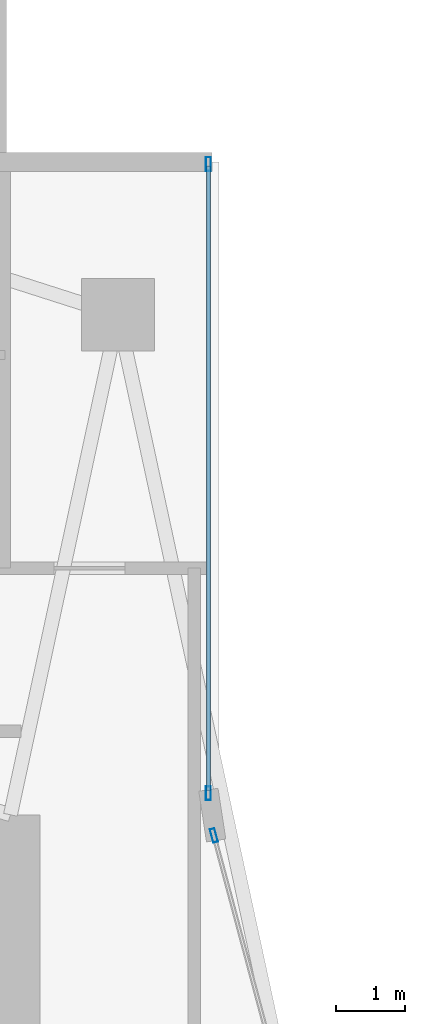
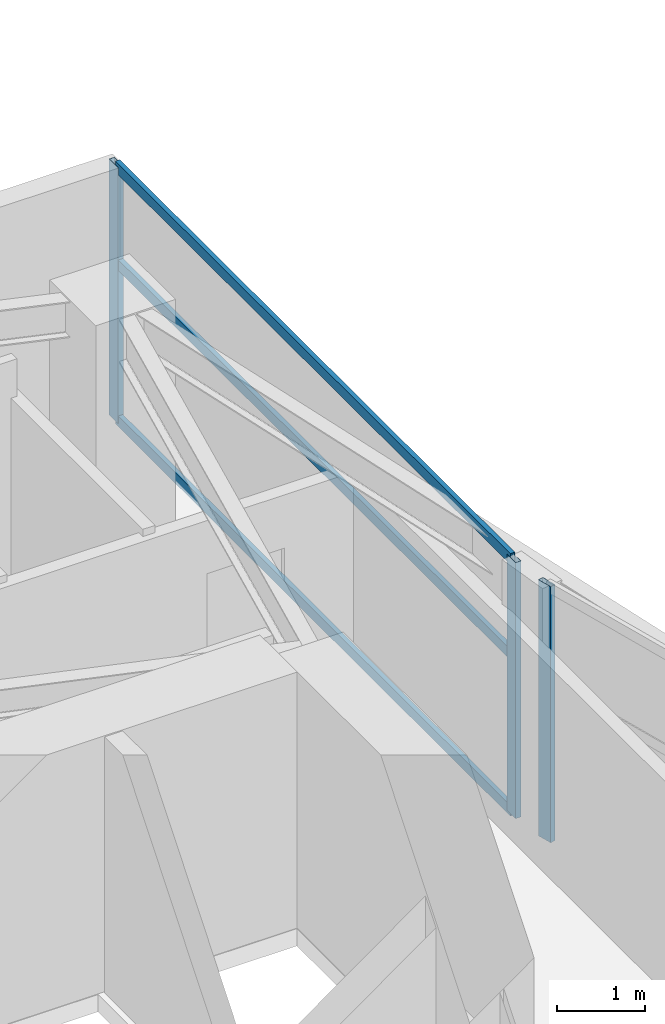
# One storey, part 18 of 28: 6 members, 2 elements without a shape of their own.
"""IFC4 building model written with IfcOpenShell, lengths in metres."""

from ifc_helpers import new_model, si_unit, direction, frame, origin, origin_2d, place, context, subcontext, project, spatial, hollow_rectangle, extrude, material, layer, layer_set, material_profile, profile_set, type_object, element, aggregate, save


model = new_model("IFC4")

# Units and contexts
model_context = context("Model", 3, precision=1e-05, world=origin(), true_north=direction((0.0, 1.0)))
body_context = subcontext(model_context, "Body", "Model", "MODEL_VIEW")
ifc_project = project(units=[si_unit("LENGTHUNIT", "METRE"), si_unit("AREAUNIT", "SQUARE_METRE"), si_unit("VOLUMEUNIT", "CUBIC_METRE"), si_unit("PLANEANGLEUNIT", "RADIAN"), si_unit("MASSUNIT", "GRAM", prefix="KILO")], contexts=[model_context])

# Site, building, storey
site_placement = place(None, origin())
site = spatial("IfcSite", under=ifc_project, at=site_placement, CompositionType="ELEMENT")
building_placement = place(site_placement, origin())
building = spatial("IfcBuilding", under=site, at=building_placement, Name="Calvorn Quay Hotel", CompositionType="ELEMENT")
storey_placement = place(building_placement, frame((0.0, 0.0, 178.89990234375)))
storey = spatial("IfcBuildingStorey", under=building, at=storey_placement, Name="L44", CompositionType="ELEMENT", Elevation=178.89990234375)

# Curtain wall, member
ifc_material_1 = material(Name="Pale Anodised Aluminium and Low-E Glass", Category="aluminium")
ifc_layer = layer(ifc_material_1, 0.219970703125)
ifc_layer_set = layer_set([ifc_layer], Name="CW-SYS-Z2")
curtain_wall_type = type_object("IfcCurtainWallType", Name="CW-SYS-Z2", PredefinedType="NOTDEFINED", material=ifc_layer_set)
curtain_wall_1_placement = place(storey_placement, origin())
curtain_wall_1 = element("IfcCurtainWall", 1, at=curtain_wall_1_placement, inside=storey, type_object=curtain_wall_type, Name="Inner Court Curtain Wall L44-IC1", PredefinedType="NOTDEFINED")
ifc_material_2 = material(Name="Pale Anodised Aluminium 6063-T6", Category="aluminium")
ifc_material_profile_1 = material_profile(ifc_material_2, hollow_rectangle(XDim=0.070068359375, YDim=0.199951171875, WallThickness=0.00390625, at=origin_2d()), Name="ALU-M200x70x4")
ifc_profile_set_1 = profile_set([ifc_material_profile_1], Name="Pale Anodised Aluminium 6063-T6")
member_type_1 = type_object("IfcMemberType", Name="CW-SYS-Z2-MUL", PredefinedType="MULLION", material=ifc_profile_set_1)
member_1_placement = place(storey_placement, frame((17.9296875, 38.10107421875, 0.0), z_axis=(0.0, 0.0, 1.0), x_axis=(-0.96593652056, -0.25877913024, 0.0)))
member_1 = element("IfcMember", 2, at=member_1_placement, type_object=member_type_1, Name="CW-L44-IC1 mullion 2", PredefinedType="MULLION", context=body_context, shape_type="SweptSolid", body=[
    extrude(hollow_rectangle(XDim=0.070068359375, YDim=0.199951171875, WallThickness=0.00390625, at=origin_2d()), origin(), (0.0, 0.0, 1.0), 3.56005859375),
])
aggregate(curtain_wall_1, [member_1])

# Curtain wall, members
curtain_wall_2_placement = place(storey_placement, origin())
curtain_wall_2 = element("IfcCurtainWall", 3, at=curtain_wall_2_placement, inside=storey, type_object=curtain_wall_type, Name="Inner Court Curtain Wall L44-IC2", PredefinedType="NOTDEFINED")
member_2_placement = place(storey_placement, frame((17.85009765625, 38.7099609375, 0.0), z_axis=(0.0, 0.0, 1.0), x_axis=(-1.0, 0.0, 0.0)))
member_2 = element("IfcMember", 4, at=member_2_placement, type_object=member_type_1, Name="CW-L44-IC2 mullion 1", PredefinedType="MULLION", context=body_context, shape_type="SweptSolid", body=[
    extrude(hollow_rectangle(XDim=0.070068359375, YDim=0.199951171875, WallThickness=0.00390625, at=origin_2d()), origin(), (0.0, 0.0, 1.0), 3.56005859375),
])
member_3_placement = place(storey_placement, frame((17.85009765625, 47.77001953125, 0.0), z_axis=(0.0, 0.0, 1.0), x_axis=(-1.0, 0.0, 0.0)))
member_3 = element("IfcMember", 5, at=member_3_placement, type_object=member_type_1, Name="CW-L44-IC2 mullion 2", PredefinedType="MULLION", context=body_context, shape_type="SweptSolid", body=[
    extrude(hollow_rectangle(XDim=0.070068359375, YDim=0.199951171875, WallThickness=0.00390625, at=origin_2d()), origin(), (0.0, 0.0, 1.0), 3.56005859375),
])
ifc_material_3 = material(Name="Pale Anodised Aluminium 6063-T6", Category="aluminium")
ifc_material_profile_2 = material_profile(ifc_material_3, hollow_rectangle(XDim=0.06005859375, YDim=0.14990234375, WallThickness=0.00341796875, at=origin_2d()), Name="ALU-T150x60x3.5")
ifc_profile_set_2 = profile_set([ifc_material_profile_2], Name="Pale Anodised Aluminium 6063-T6")
member_type_2 = type_object("IfcMemberType", Name="CW-SYS-Z2-TRN", PredefinedType="USERDEFINED", material=ifc_profile_set_2)
member_4_placement = place(storey_placement, frame((17.85009765625, 38.739990234375, 0.030029296875), z_axis=(0.0, 1.0, 0.0), x_axis=(-1.0, 0.0, 0.0)))
member_4 = element("IfcMember", 6, at=member_4_placement, type_object=member_type_2, Name="CW-L44-IC2 transom 1.1", ObjectType="TRANSOM", PredefinedType="USERDEFINED", context=body_context, shape_type="SweptSolid", body=[
    extrude(hollow_rectangle(XDim=0.06005859375, YDim=0.14990234375, WallThickness=0.00341796875, at=origin_2d()), origin(), (0.0, 0.0, 1.0), 9.0),
])
member_5_placement = place(storey_placement, frame((17.85009765625, 38.739990234375, 2.2001953125), z_axis=(0.0, 1.0, 0.0), x_axis=(-1.0, 0.0, 0.0)))
member_5 = element("IfcMember", 7, at=member_5_placement, type_object=member_type_2, Name="CW-L44-IC2 transom 1.2", ObjectType="TRANSOM", PredefinedType="USERDEFINED", context=body_context, shape_type="SweptSolid", body=[
    extrude(hollow_rectangle(XDim=0.06005859375, YDim=0.14990234375, WallThickness=0.00341796875, at=origin_2d()), origin(), (0.0, 0.0, 1.0), 9.0),
])
member_6_placement = place(storey_placement, frame((17.85009765625, 38.739990234375, 3.530029296875), z_axis=(0.0, 1.0, 0.0), x_axis=(-1.0, 0.0, 0.0)))
member_6 = element("IfcMember", 8, at=member_6_placement, type_object=member_type_2, Name="CW-L44-IC2 transom 1.3", ObjectType="TRANSOM", PredefinedType="USERDEFINED", context=body_context, shape_type="SweptSolid", body=[
    extrude(hollow_rectangle(XDim=0.06005859375, YDim=0.14990234375, WallThickness=0.00341796875, at=origin_2d()), origin(), (0.0, 0.0, 1.0), 9.0),
])
aggregate(curtain_wall_2, [member_2, member_3, member_4, member_5, member_6])

save(model, "model.ifc")
